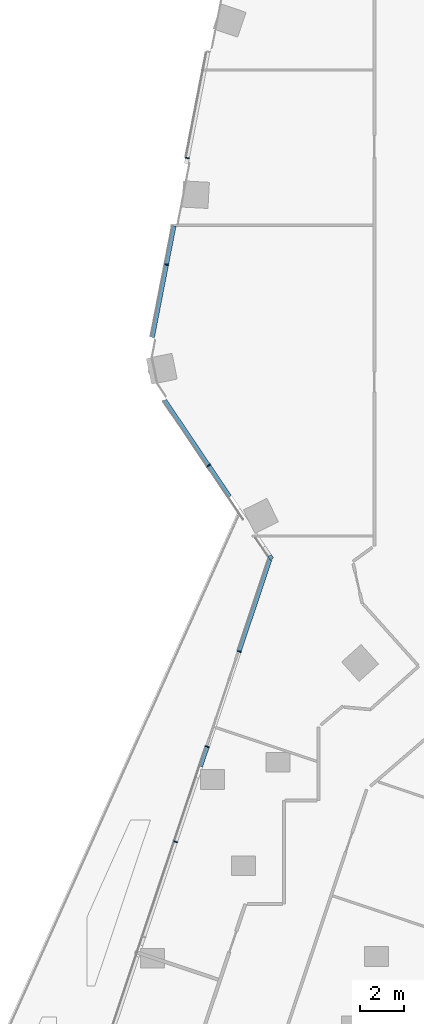
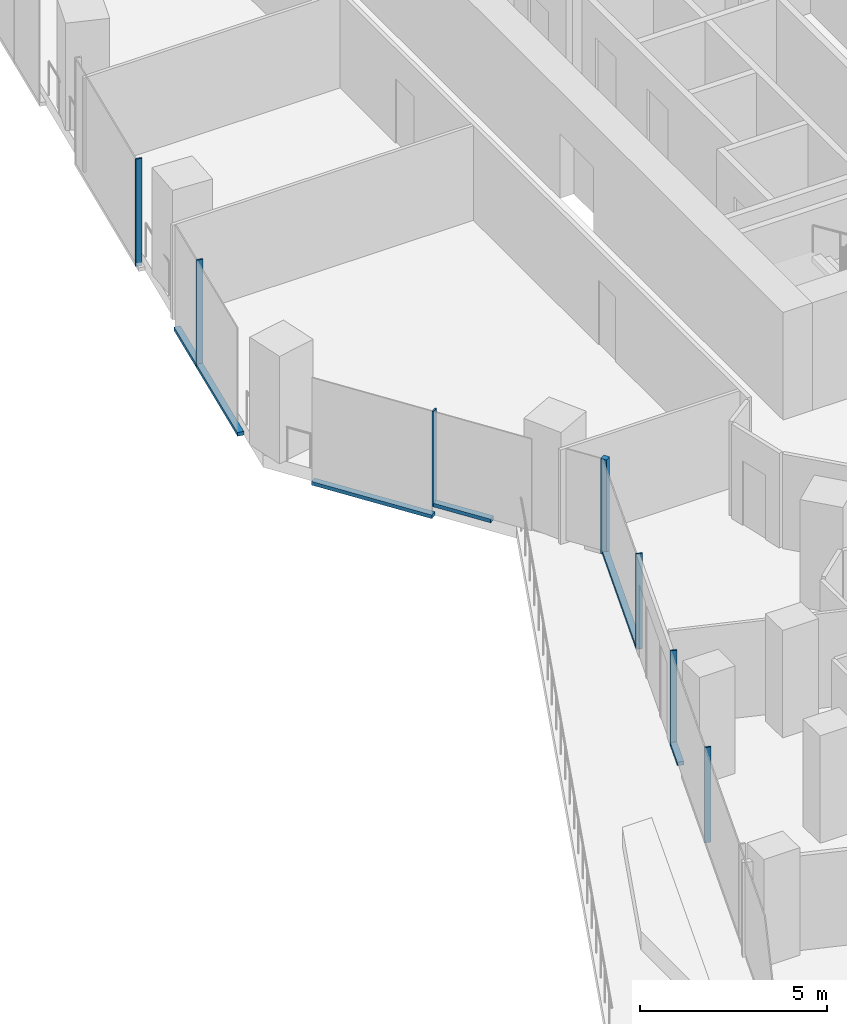
# One storey, part 6 of 34: 12 members, 3 elements without a shape of their own.
"""IFC4 building model written with IfcOpenShell, lengths in metres."""

from ifc_helpers import new_model, si_unit, direction, frame, origin, origin_2d, place, context, subcontext, project, spatial, rectangle, extrude, material, material_profile, profile_set, type_object, element, aggregate, save


model = new_model("IFC4")

# Units and contexts
model_context = context("Model", 3, precision=1e-05, world=origin(), true_north=direction((0.0, 1.0)))
body_context = subcontext(model_context, "Body", "Model", "MODEL_VIEW")
ifc_project = project(units=[si_unit("LENGTHUNIT", "METRE"), si_unit("AREAUNIT", "SQUARE_METRE"), si_unit("VOLUMEUNIT", "CUBIC_METRE"), si_unit("PLANEANGLEUNIT", "RADIAN"), si_unit("MASSUNIT", "GRAM", prefix="KILO")], contexts=[model_context])

# Site, building, storey
site_placement = place(None, origin())
site = spatial("IfcSite", under=ifc_project, at=site_placement, CompositionType="ELEMENT")
building_placement = place(site_placement, origin())
building = spatial("IfcBuilding", under=site, at=building_placement, Name="Orlundy Tower", CompositionType="ELEMENT")
storey_placement = place(building_placement, frame((0.0, 0.0, 145.60009765625)))
storey = spatial("IfcBuildingStorey", under=building, at=storey_placement, Name="L37", CompositionType="ELEMENT", Elevation=145.60009765625)

# Curtain wall, member
ifc_material_1 = material(Name="Aluminium bronze anodised", Category="aluminium")
curtain_wall_type = type_object("IfcCurtainWallType", Name="CW1 wall", PredefinedType="NOTDEFINED", material=ifc_material_1)
curtain_wall_1_placement = place(storey_placement, origin())
curtain_wall_1 = element("IfcCurtainWall", 1, at=curtain_wall_1_placement, inside=storey, type_object=curtain_wall_type, Name="CW1 run 013", PredefinedType="NOTDEFINED")
ifc_material_2 = material(Name="Aluminium bronze anodised", Category="aluminium")
ifc_material_profile_1 = material_profile(ifc_material_2, rectangle(XDim=0.179931640625, YDim=0.179931640625, at=origin_2d()), Name="CW1 corner post 180x180")
ifc_profile_set_1 = profile_set([ifc_material_profile_1], Name="Aluminium bronze anodised")
member_type_1 = type_object("IfcMemberType", Name="CW1 corner post 180x180", PredefinedType="MULLION", material=ifc_profile_set_1)
member_1_placement = place(storey_placement, frame((-26.1953125, -14.9736328125, 0.0), z_axis=(0.0, 0.0, 1.0), x_axis=(-0.829032104807, -0.559201009656, 0.0)))
member_1 = element("IfcMember", 2, at=member_1_placement, type_object=member_type_1, Name="CW1 mullion 32", PredefinedType="MULLION", context=body_context, shape_type="SweptSolid", body=[
    extrude(rectangle(XDim=0.179931640625, YDim=0.179931640625, at=origin_2d()), origin(), (0.0, 0.0, 1.0), 3.099853515625),
])

# Curtain wall, members
curtain_wall_2_placement = place(storey_placement, origin())
curtain_wall_2 = element("IfcCurtainWall", 3, at=curtain_wall_2_placement, inside=storey, type_object=curtain_wall_type, Name="CW1 run 012", PredefinedType="NOTDEFINED")
ifc_material_3 = material(Name="Aluminium bronze anodised", Category="aluminium")
ifc_material_profile_2 = material_profile(ifc_material_3, rectangle(XDim=0.179931640625, YDim=0.050048828125, at=origin_2d()), Name="CW1 mullion 50x180")
ifc_profile_set_2 = profile_set([ifc_material_profile_2], Name="Aluminium bronze anodised")
member_type_2 = type_object("IfcMemberType", Name="CW1 mullion 50x180", PredefinedType="MULLION", material=ifc_profile_set_2)
member_2_placement = place(storey_placement, frame((-30.54931640625, -27.986328125, 0.0), z_axis=(0.0, 0.0, 1.0), x_axis=(-0.948326756752, 0.317295386712, 0.0)))
member_2 = element("IfcMember", 4, at=member_2_placement, type_object=member_type_2, Name="CW1 mullion 29", PredefinedType="MULLION", context=body_context, shape_type="SweptSolid", body=[
    extrude(rectangle(XDim=0.179931640625, YDim=0.050048828125, at=origin_2d()), origin(), (0.0, 0.0, 1.0), 3.099853515625),
])
member_3_placement = place(storey_placement, frame((-29.09326171875, -23.634765625, 0.0), z_axis=(0.0, 0.0, 1.0), x_axis=(-0.948326756752, 0.317295386712, 0.0)))
member_3 = element("IfcMember", 5, at=member_3_placement, type_object=member_type_2, Name="CW1 mullion 30", PredefinedType="MULLION", context=body_context, shape_type="SweptSolid", body=[
    extrude(rectangle(XDim=0.179931640625, YDim=0.050048828125, at=origin_2d()), origin(), (0.0, 0.0, 1.0), 3.099853515625),
])
member_4_placement = place(storey_placement, frame((-27.637451171875, -19.283203125, 0.0), z_axis=(0.0, 0.0, 1.0), x_axis=(-0.948326756752, 0.317295386712, 0.0)))
member_4 = element("IfcMember", 6, at=member_4_placement, type_object=member_type_2, Name="CW1 mullion 31", PredefinedType="MULLION", context=body_context, shape_type="SweptSolid", body=[
    extrude(rectangle(XDim=0.179931640625, YDim=0.050048828125, at=origin_2d()), origin(), (0.0, 0.0, 1.0), 3.099853515625),
])

# Member
member_5_placement = place(storey_placement, frame((-29.03271484375, -10.767333984375, 0.0), z_axis=(0.0, 0.0, 1.0), x_axis=(-0.829032104807, -0.559201009656, 0.0)))
member_5 = element("IfcMember", 7, at=member_5_placement, type_object=member_type_2, Name="CW1 mullion 33", PredefinedType="MULLION", context=body_context, shape_type="SweptSolid", body=[
    extrude(rectangle(XDim=0.179931640625, YDim=0.050048828125, at=origin_2d()), origin(), (0.0, 0.0, 1.0), 3.099853515625),
])

# Curtain wall, members
curtain_wall_3_placement = place(storey_placement, origin())
curtain_wall_3 = element("IfcCurtainWall", 8, at=curtain_wall_3_placement, inside=storey, type_object=curtain_wall_type, Name="CW1 run 014", PredefinedType="NOTDEFINED")
member_6_placement = place(storey_placement, frame((-30.9599609375, -1.57763671875, -0.400146484375), z_axis=(0.0, 0.0, 1.0), x_axis=(-0.981627952333, 0.19080503976, 0.0)))
member_6 = element("IfcMember", 9, at=member_6_placement, type_object=member_type_2, Name="CW1 mullion 35", PredefinedType="MULLION", context=body_context, shape_type="SweptSolid", body=[
    extrude(rectangle(XDim=0.179931640625, YDim=0.050048828125, at=origin_2d()), origin(), (0.0, 0.0, 1.0), 3.5),
])
member_7_placement = place(storey_placement, frame((-30.011474609375, 3.301513671875, -0.400146484375), z_axis=(0.0, 0.0, 1.0), x_axis=(-0.981627952333, 0.19080503976, 0.0)))
member_7 = element("IfcMember", 10, at=member_7_placement, type_object=member_type_2, Name="CW1 mullion 36", PredefinedType="MULLION", context=body_context, shape_type="SweptSolid", body=[
    extrude(rectangle(XDim=0.179931640625, YDim=0.050048828125, at=origin_2d()), origin(), (0.0, 0.0, 1.0), 3.5),
])

# Member
ifc_material_4 = material(Name="Aluminium bronze anodised", Category="aluminium")
ifc_material_profile_3 = material_profile(ifc_material_4, rectangle(XDim=0.179931640625, YDim=0.1201171875, at=origin_2d()), Name="CW1 transom 180x120")
ifc_profile_set_3 = profile_set([ifc_material_profile_3], Name="Aluminium bronze anodised")
member_type_3 = type_object("IfcMemberType", Name="CW1 transom 180x120", PredefinedType="USERDEFINED", material=ifc_profile_set_3)
member_8_placement = place(storey_placement, frame((-29.39599609375, -24.5390625, 0.059814453125), z_axis=(0.317331771725, 0.948314582116, 0.0), x_axis=(-0.948314582116, 0.317331771725, 0.0)))
member_8 = element("IfcMember", 11, at=member_8_placement, type_object=member_type_3, Name="CW1 transom", ObjectType="TRANSOM", PredefinedType="USERDEFINED", context=body_context, shape_type="SweptSolid", body=[
    extrude(rectangle(XDim=0.179931640625, YDim=0.1201171875, at=origin_2d()), origin(), (0.0, 0.0, 1.0), 0.9287109375),
])

member_9_placement = place(storey_placement, frame((-27.62939453125, -19.259521484375, 0.059814453125), z_axis=(0.317274812947, 0.948333640165, 0.0), x_axis=(-0.948333640165, 0.317274812947, 0.0)))
member_9 = element("IfcMember", 12, at=member_9_placement, type_object=member_type_3, Name="CW1 transom", ObjectType="TRANSOM", PredefinedType="USERDEFINED", context=body_context, shape_type="SweptSolid", body=[
    extrude(rectangle(XDim=0.179931640625, YDim=0.1201171875, at=origin_2d()), origin(), (0.0, 0.0, 1.0), 4.406005859375),
])

aggregate(curtain_wall_2, [member_2, member_3, member_4, member_8, member_9])

member_10_placement = place(storey_placement, frame((-28.070556640625, -12.193603515625, 0.059814453125), z_axis=(-0.559178499211, 0.829047288169, 0.0), x_axis=(-0.829047288169, -0.559178499211, 0.0)))
member_10 = element("IfcMember", 13, at=member_10_placement, type_object=member_type_3, Name="CW1 transom", ObjectType="TRANSOM", PredefinedType="USERDEFINED", context=body_context, shape_type="SweptSolid", body=[
    extrude(rectangle(XDim=0.179931640625, YDim=0.1201171875, at=origin_2d()), origin(), (0.0, 0.0, 1.0), 1.6953125),
])

member_11_placement = place(storey_placement, frame((-29.046630859375, -10.74658203125, -0.340087890625), z_axis=(-0.559171164067, 0.829052235553, 0.0), x_axis=(-0.829052235553, -0.559171164067, 0.0)))
member_11 = element("IfcMember", 14, at=member_11_placement, type_object=member_type_3, Name="CW1 transom", ObjectType="TRANSOM", PredefinedType="USERDEFINED", context=body_context, shape_type="SweptSolid", body=[
    extrude(rectangle(XDim=0.179931640625, YDim=0.1201171875, at=origin_2d()), origin(), (0.0, 0.0, 1.0), 3.572265625),
])

aggregate(curtain_wall_1, [member_1, member_5, member_10, member_11])

member_12_placement = place(storey_placement, frame((-31.606201171875, -4.903076171875, -0.340087890625), z_axis=(0.190774097299, 0.981633966303, 0.0), x_axis=(-0.981633966303, 0.190774097299, 0.0)))
member_12 = element("IfcMember", 15, at=member_12_placement, type_object=member_type_3, Name="CW1 transom", ObjectType="TRANSOM", PredefinedType="USERDEFINED", context=body_context, shape_type="SweptSolid", body=[
    extrude(rectangle(XDim=0.179931640625, YDim=0.1201171875, at=origin_2d()), origin(), (0.0, 0.0, 1.0), 5.197021484375),
])

aggregate(curtain_wall_3, [member_6, member_7, member_12])

save(model, "model.ifc")
